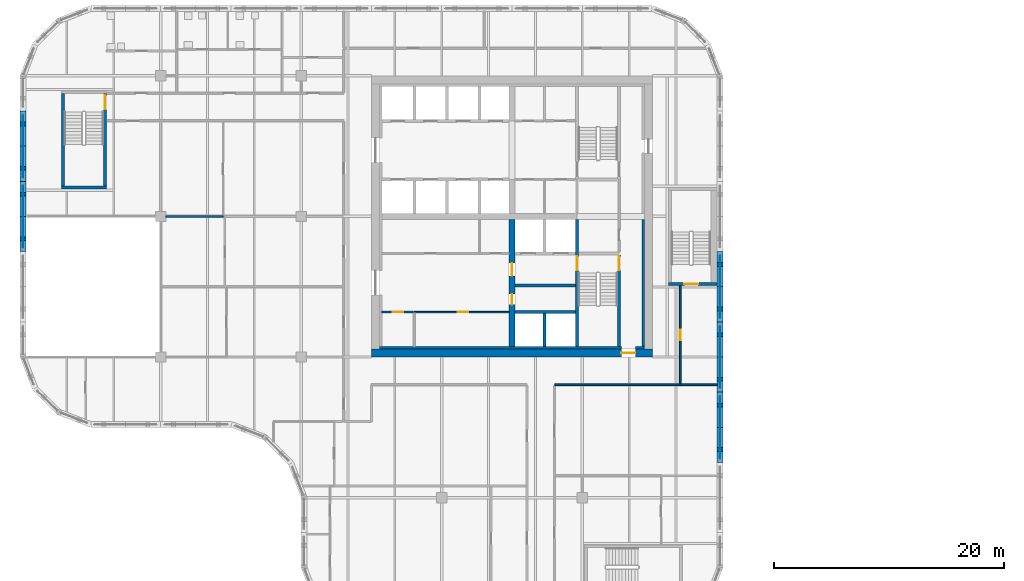
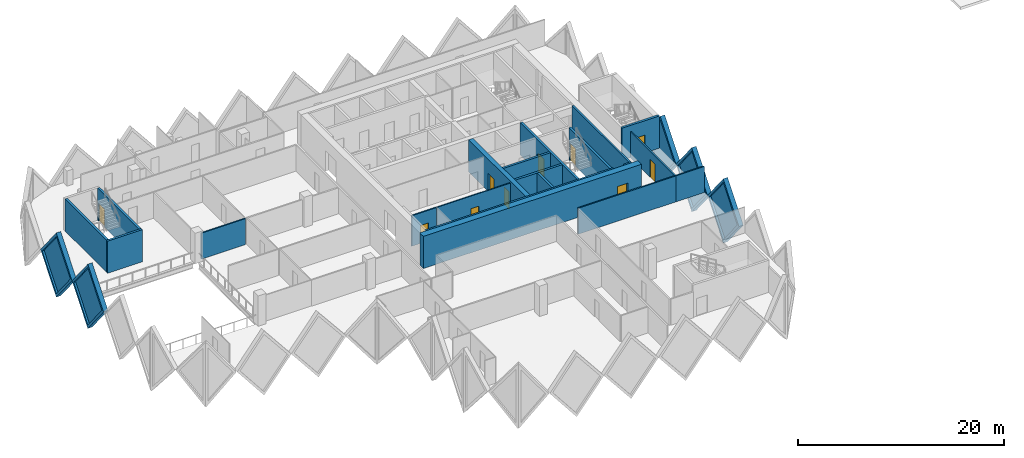
# One storey, part 6 of 13: 25 walls, 10 doors, 5 plates, 15 openings.
"""IFC4 building model written with IfcOpenShell, lengths in metres."""

from ifc_helpers import new_model, si_unit, direction, frame, frame_2d, origin, place, context, subcontext, project, spatial, polyline, rectangle, outline, extrude, faceted_brep, source, transform, mapped, material, layer, layer_set, type_object, element, fill, save


model = new_model("IFC4")

# Units and contexts
model_context = context("Model", 3, precision=1e-05, world=origin(), true_north=direction((0.0, 1.0)))
body_context = subcontext(model_context, "Body", "Model", "MODEL_VIEW")
ifc_project = project(units=[si_unit("LENGTHUNIT", "METRE"), si_unit("AREAUNIT", "SQUARE_METRE"), si_unit("VOLUMEUNIT", "CUBIC_METRE"), si_unit("PLANEANGLEUNIT", "RADIAN"), si_unit("MASSUNIT", "GRAM", prefix="KILO")], contexts=[model_context])

# Site, building, storey
site_placement = place(None, origin())
site = spatial("IfcSite", under=ifc_project, at=site_placement, CompositionType="ELEMENT")
building_placement = place(site_placement, origin())
building = spatial("IfcBuilding", under=site, at=building_placement, Name="Tessera Gate Towers", CompositionType="ELEMENT")
storey_placement = place(building_placement, frame((0.0, 0.0, 116.39990234375)))
storey = spatial("IfcBuildingStorey", under=building, at=storey_placement, Name="L28", CompositionType="ELEMENT", Elevation=116.39990234375)

# Wall, opening, door
ifc_material_1 = material(Name="Concrete C40/50", Category="concrete")
ifc_layer_1 = layer(ifc_material_1, 0.25)
ifc_layer_set_1 = layer_set([ifc_layer_1], Name="CORE ENCLOSURE WALL 250")
wall_type_1 = type_object("IfcWallType", Name="CORE ENCLOSURE WALL 250", PredefinedType="SOLIDWALL", material=ifc_layer_set_1)
wall_1_placement = place(storey_placement, frame((48.35009765625, 36.35009765625, 0.0), z_axis=(0.0, 0.0, 1.0), x_axis=(0.0, -1.0, 0.0)))
wall_1 = element("IfcWall", 1, at=wall_1_placement, inside=storey, type_object=wall_type_1, Name="L28 shaft and stair enclosure wall", PredefinedType="SOLIDWALL", context=body_context, shape_type="SweptSolid", body=[
    extrude(rectangle(XDim=11.050048828125, YDim=0.25, at=frame_2d((5.52490234375, 0.0))), origin(), (0.0, 0.0, 1.0), 3.800048828125),
])
shared_shape_1 = source(origin(), body_context, "Body", "SweptSolid", [
    extrude(rectangle(XDim=1.199951171875, YDim=2.10009765625, at=frame_2d((0.60009765625, 1.050048828125))), frame((0.0, 0.135009765625, 0.0), z_axis=(0.0, -1.0, 0.0), x_axis=(1.0, 0.0, 0.0)), (0.0, 0.0, 1.0), 0.27001953125),
])
opening_1_placement = place(wall_1_placement, frame((3.22509765625, 0.0, 0.0)))
opening_1 = element("IfcOpeningElement", 2, at=opening_1_placement, cuts=wall_1, Name="Opening SD-ST1-1", PredefinedType="OPENING", context=body_context, shape_type="MappedRepresentation", body=[
    mapped(shared_shape_1, transform((0.0, 0.0, 0.0), scale=1.0)),
])
ifc_material_2 = material(Name="Hollow steel fire door", Category="steel")
door_type_1 = type_object("IfcDoorType", Name="CORE DOOR SD 1200x2100", OperationType="NOTDEFINED", PredefinedType="DOOR", material=ifc_material_2)
shared_shape_2 = source(origin(), body_context, "Body", "SweptSolid", [
    extrude(rectangle(XDim=1.199951171875, YDim=2.10009765625, at=frame_2d((0.60009765625, 1.050048828125))), frame((0.0, 0.02490234375, 0.0), z_axis=(0.0, -1.0, 0.0), x_axis=(1.0, 0.0, 0.0)), (0.0, 0.0, 1.0), 0.050048828125),
])
door_1_placement = place(opening_1_placement, origin())
door_1 = element("IfcDoor", 3, at=door_1_placement, inside=storey, type_object=door_type_1, Name="Stair door", OperationType="SINGLE_SWING_LEFT", OverallHeight=2.10009765625, OverallWidth=1.199951171875, PredefinedType="DOOR", context=body_context, shape_type="MappedRepresentation", body=[
    mapped(shared_shape_2, transform((0.0, 0.0, 0.0), scale=1.0)),
])
fill(opening_1, door_1)

wall_2_placement = place(storey_placement, frame((52.0, 25.300048828125, 0.0), z_axis=(0.0, 0.0, 1.0), x_axis=(0.0, 1.0, 0.0)))
wall_2 = element("IfcWall", 4, at=wall_2_placement, inside=storey, type_object=wall_type_1, Name="L28 shaft and stair enclosure wall", PredefinedType="SOLIDWALL", context=body_context, shape_type="SweptSolid", body=[
    extrude(rectangle(XDim=7.974853515625, YDim=0.25, at=frame_2d((3.9873046875, 0.0))), origin(), (0.0, 0.0, 1.0), 3.800048828125),
])
opening_2_placement = place(wall_2_placement, frame((6.625, 0.0, 0.0)))
opening_2 = element("IfcOpeningElement", 5, at=opening_2_placement, cuts=wall_2, Name="Opening SD-ST1-2", PredefinedType="OPENING", context=body_context, shape_type="MappedRepresentation", body=[
    mapped(shared_shape_1, transform((0.0, 0.0, 0.0), scale=1.0)),
])
door_2_placement = place(opening_2_placement, origin())
door_2 = element("IfcDoor", 6, at=door_2_placement, inside=storey, type_object=door_type_1, Name="Stair door", OperationType="SINGLE_SWING_RIGHT", OverallHeight=2.10009765625, OverallWidth=1.199951171875, PredefinedType="DOOR", context=body_context, shape_type="MappedRepresentation", body=[
    mapped(shared_shape_2, transform((0.0, 0.0, 0.0), scale=1.0)),
])
fill(opening_2, door_2)

# Walls
for number, where, z_axis, x_axis, name in (
    (7, (42.949951171875, 28.300048828125, 0.0), (0.0, 0.0, 1.0), (1.0, 0.0, 0.0), "L28 shaft and stair enclosure wall"),
    (8, (42.949951171875, 30.60009765625, 0.0), (0.0, 0.0, 1.0), (1.0, 0.0, 0.0), "L28 shaft and stair enclosure wall"),
):
    element("IfcWall", number, at=place(storey_placement, frame(where, z_axis=z_axis, x_axis=x_axis)), inside=storey, type_object=wall_type_1, Name=name, PredefinedType="SOLIDWALL", context=body_context, shape_type="SweptSolid", body=[
        extrude(rectangle(XDim=5.275146484375, YDim=0.25, at=frame_2d((2.6376953125, 0.0))), origin(), (0.0, 0.0, 1.0), 3.800048828125),
    ])
wall_3_placement = place(storey_placement, frame((45.52490234375, 25.300048828125, 0.0), z_axis=(0.0, 0.0, 1.0), x_axis=(0.0, 1.0, 0.0)))
element("IfcWall", 9, at=wall_3_placement, inside=storey, type_object=wall_type_1, Name="L28 shaft and stair enclosure wall", PredefinedType="SOLIDWALL", context=body_context, shape_type="SweptSolid", body=[
    extrude(rectangle(XDim=2.875, YDim=0.25, at=frame_2d((1.4375, 0.0))), origin(), (0.0, 0.0, 1.0), 3.800048828125),
])
wall_4_placement = place(storey_placement, frame((7.5, 39.125, 0.0), z_axis=(0.0, 0.0, 1.0), x_axis=(-1.0, 0.0, 0.0)))
element("IfcWall", 10, at=wall_4_placement, inside=storey, type_object=wall_type_1, Name="L28 ST3 enclosure wall", PredefinedType="SOLIDWALL", context=body_context, shape_type="SweptSolid", body=[
    extrude(rectangle(XDim=3.89990234375, YDim=0.25, at=frame_2d((1.949951171875, 0.0))), origin(), (0.0, 0.0, 1.0), 3.800048828125),
])
wall_5_placement = place(storey_placement, frame((3.72509765625, 39.25, 0.0), z_axis=(0.0, 0.0, 1.0), x_axis=(0.0, 1.0, 0.0)))
element("IfcWall", 11, at=wall_5_placement, inside=storey, type_object=wall_type_1, Name="L28 ST3 enclosure wall", PredefinedType="SOLIDWALL", context=body_context, shape_type="SweptSolid", body=[
    extrude(rectangle(XDim=8.0, YDim=0.25, at=frame_2d((4.0, 0.0))), origin(), (0.0, 0.0, 1.0), 3.800048828125),
])

# Wall, opening, door
wall_6_placement = place(storey_placement, frame((7.375, 47.25, 0.0), z_axis=(0.0, 0.0, 1.0), x_axis=(0.0, -1.0, 0.0)))
wall_6 = element("IfcWall", 12, at=wall_6_placement, inside=storey, type_object=wall_type_1, Name="L28 ST3 enclosure wall", PredefinedType="SOLIDWALL", context=body_context, shape_type="SweptSolid", body=[
    extrude(rectangle(XDim=8.0, YDim=0.25, at=frame_2d((4.0, 0.0))), origin(), (0.0, 0.0, 1.0), 3.800048828125),
])
opening_3_placement = place(wall_6_placement, frame((0.14990234375, 0.0, 0.0)))
opening_3 = element("IfcOpeningElement", 13, at=opening_3_placement, cuts=wall_6, Name="Opening SD-ST3-1", PredefinedType="OPENING", context=body_context, shape_type="MappedRepresentation", body=[
    mapped(shared_shape_1, transform((0.0, 0.0, 0.0), scale=1.0)),
])
door_3_placement = place(opening_3_placement, origin())
door_3 = element("IfcDoor", 14, at=door_3_placement, inside=storey, type_object=door_type_1, Name="Stair door", OperationType="SINGLE_SWING_LEFT", OverallHeight=2.10009765625, OverallWidth=1.199951171875, PredefinedType="DOOR", context=body_context, shape_type="MappedRepresentation", body=[
    mapped(shared_shape_2, transform((0.0, 0.0, 0.0), scale=1.0)),
])
fill(opening_3, door_3)

wall_7_placement = place(storey_placement, frame((60.5, 30.72509765625, 0.0), z_axis=(0.0, 0.0, 1.0), x_axis=(-1.0, 0.0, 0.0)))
wall_7 = element("IfcWall", 15, at=wall_7_placement, inside=storey, type_object=wall_type_1, Name="L28 ST5 enclosure wall", PredefinedType="SOLIDWALL", context=body_context, shape_type="SweptSolid", body=[
    extrude(rectangle(XDim=4.199951171875, YDim=0.25, at=frame_2d((2.10009765625, 0.0))), origin(), (0.0, 0.0, 1.0), 3.800048828125),
])
opening_4_placement = place(wall_7_placement, frame((1.64990234375, 0.0, 0.0)))
opening_4 = element("IfcOpeningElement", 16, at=opening_4_placement, cuts=wall_7, Name="Opening SD-ST5-1", PredefinedType="OPENING", context=body_context, shape_type="MappedRepresentation", body=[
    mapped(shared_shape_1, transform((0.0, 0.0, 0.0), scale=1.0)),
])
door_4_placement = place(opening_4_placement, origin())
door_4 = element("IfcDoor", 17, at=door_4_placement, inside=storey, type_object=door_type_1, Name="Stair door", OperationType="SINGLE_SWING_RIGHT", OverallHeight=2.10009765625, OverallWidth=1.199951171875, PredefinedType="DOOR", context=body_context, shape_type="MappedRepresentation", body=[
    mapped(shared_shape_2, transform((0.0, 0.0, 0.0), scale=1.0)),
])
fill(opening_4, door_4)

ifc_material_3 = material(Name="Gypsum board on steel studs", Category="steel")
ifc_layer_2 = layer(ifc_material_3, 0.1201171875)
ifc_layer_set_2 = layer_set([ifc_layer_2], Name="CORE PARTITION 120")
wall_type_2 = type_object("IfcWallType", Name="CORE PARTITION 120", PredefinedType="PARTITIONING", material=ifc_layer_set_2)
wall_8_placement = place(storey_placement, frame((42.449951171875, 28.300048828125, 0.0), z_axis=(0.0, 0.0, 1.0), x_axis=(-1.0, 0.0, 0.0)))
wall_8 = element("IfcWall", 18, at=wall_8_placement, inside=storey, type_object=wall_type_2, Name="L28 core partition", PredefinedType="PARTITIONING", context=body_context, shape_type="SweptSolid", body=[
    extrude(rectangle(XDim=8.224853515625, YDim=0.1201171875, at=frame_2d((4.1123046875, 0.0))), origin(), (0.0, 0.0, 1.0), 3.60009765625),
])
shared_shape_3 = source(origin(), body_context, "Body", "SweptSolid", [
    extrude(rectangle(XDim=0.89990234375, YDim=2.10009765625, at=frame_2d((0.449951171875, 1.050048828125))), frame((0.0, 0.070068359375, 0.0), z_axis=(0.0, -1.0, 0.0), x_axis=(1.0, 0.0, 0.0)), (0.0, 0.0, 1.0), 0.14013671875),
])
opening_5_placement = place(wall_8_placement, frame((3.53759765625, 0.0, 0.0)))
opening_5 = element("IfcOpeningElement", 19, at=opening_5_placement, cuts=wall_8, Name="Opening RD-T1-20-09", PredefinedType="OPENING", context=body_context, shape_type="MappedRepresentation", body=[
    mapped(shared_shape_3, transform((0.0, 0.0, 0.0), scale=1.0)),
])
ifc_material_4 = material(Name="Hollow steel fire door", Category="steel")
door_type_2 = type_object("IfcDoorType", Name="CORE DOOR RD 900x2100", OperationType="NOTDEFINED", PredefinedType="DOOR", material=ifc_material_4)
shared_shape_4 = source(origin(), body_context, "Body", "SweptSolid", [
    extrude(rectangle(XDim=0.89990234375, YDim=2.10009765625, at=frame_2d((0.449951171875, 1.050048828125))), frame((0.0, 0.02490234375, 0.0), z_axis=(0.0, -1.0, 0.0), x_axis=(1.0, 0.0, 0.0)), (0.0, 0.0, 1.0), 0.050048828125),
])
door_5_placement = place(opening_5_placement, origin())
door_5 = element("IfcDoor", 20, at=door_5_placement, inside=storey, type_object=door_type_2, Name="Core room door", OperationType="SINGLE_SWING_LEFT", OverallHeight=2.10009765625, OverallWidth=0.89990234375, PredefinedType="DOOR", context=body_context, shape_type="MappedRepresentation", body=[
    mapped(shared_shape_4, transform((0.0, 0.0, 0.0), scale=1.0)),
])
fill(opening_5, door_5)

ifc_material_5 = material(Name="Concrete C60/75", Category="concrete")
ifc_layer_3 = layer(ifc_material_5, 0.699951171875)
ifc_layer_set_3 = layer_set([ifc_layer_3], Name="CORE SHEAR WALL 700 C60/75")
wall_type_3 = type_object("IfcWallType", Name="CORE SHEAR WALL 700 C60/75", PredefinedType="SHEAR", material=ifc_layer_set_3)
wall_9_placement = place(storey_placement, frame((54.89990234375, 24.75, 0.0), z_axis=(0.0, 0.0, 1.0), x_axis=(-1.0, 0.0, 0.0)))
wall_9 = element("IfcWall", 21, at=wall_9_placement, inside=storey, type_object=wall_type_3, Name="Core wall S L28", PredefinedType="SHEAR", context=body_context, shape_type="SweptSolid", body=[
    extrude(rectangle(XDim=24.39990234375, YDim=0.699951171875, at=frame_2d((12.199951171875, 0.0))), origin(), (0.0, 0.0, 1.0), 3.800048828125),
])
shared_shape_5 = source(origin(), body_context, "Body", "SweptSolid", [
    extrude(rectangle(XDim=1.199951171875, YDim=2.10009765625, at=frame_2d((0.60009765625, 1.050048828125))), frame((0.0, 0.35986328125, 0.0), z_axis=(0.0, -1.0, 0.0), x_axis=(1.0, 0.0, 0.0)), (0.0, 0.0, 1.0), 0.719970703125),
])
opening_6_placement = place(wall_9_placement, frame((1.5, 0.0, 0.0)))
opening_6 = element("IfcOpeningElement", 22, at=opening_6_placement, cuts=wall_9, Name="Opening ED-T1-20-01", PredefinedType="OPENING", context=body_context, shape_type="MappedRepresentation", body=[
    mapped(shared_shape_5, transform((0.0, 0.0, 0.0), scale=1.0)),
])
ifc_material_6 = material(Name="Hollow steel fire door", Category="steel")
door_type_3 = type_object("IfcDoorType", Name="CORE DOOR ED 1200x2100", OperationType="NOTDEFINED", PredefinedType="DOOR", material=ifc_material_6)
door_6_placement = place(opening_6_placement, origin())
door_6 = element("IfcDoor", 23, at=door_6_placement, inside=storey, type_object=door_type_3, Name="Core exit door", OperationType="SINGLE_SWING_LEFT", OverallHeight=2.10009765625, OverallWidth=1.199951171875, PredefinedType="DOOR", context=body_context, shape_type="MappedRepresentation", body=[
    mapped(shared_shape_2, transform((0.0, 0.0, 0.0), scale=1.0)),
])
fill(opening_6, door_6)

# Wall, openings, doors
ifc_material_7 = material(Name="Concrete C60/75", Category="concrete")
ifc_layer_4 = layer(ifc_material_7, 0.5)
ifc_layer_set_4 = layer_set([ifc_layer_4], Name="CORE SPINE WALL 500 C60/75")
wall_type_4 = type_object("IfcWallType", Name="CORE SPINE WALL 500 C60/75", PredefinedType="SHEAR", material=ifc_layer_set_4)
wall_10_placement = place(storey_placement, frame((42.699951171875, 36.35009765625, 0.0), z_axis=(0.0, 0.0, 1.0), x_axis=(0.0, -1.0, 0.0)))
wall_10 = element("IfcWall", 24, at=wall_10_placement, inside=storey, type_object=wall_type_4, Name="Core wall spine L28", PredefinedType="SHEAR", context=body_context, shape_type="SweptSolid", body=[
    extrude(rectangle(XDim=11.050048828125, YDim=0.5, at=frame_2d((5.52490234375, 0.0))), origin(), (0.0, 0.0, 1.0), 3.800048828125),
])
shared_shape_6 = source(origin(), body_context, "Body", "SweptSolid", [
    extrude(rectangle(XDim=0.89990234375, YDim=2.10009765625, at=frame_2d((0.449951171875, 1.050048828125))), frame((0.0, 0.260009765625, 0.0), z_axis=(0.0, -1.0, 0.0), x_axis=(1.0, 0.0, 0.0)), (0.0, 0.0, 1.0), 0.52001953125),
])
opening_7_placement = place(wall_10_placement, frame((6.5, 0.0, 0.0)))
opening_7 = element("IfcOpeningElement", 25, at=opening_7_placement, cuts=wall_10, Name="Opening RD-T1-20-05", PredefinedType="OPENING", context=body_context, shape_type="MappedRepresentation", body=[
    mapped(shared_shape_6, transform((0.0, 0.0, 0.0), scale=1.0)),
])
shared_shape_7 = source(origin(), body_context, "Body", "SweptSolid", [
    extrude(rectangle(XDim=1.10009765625, YDim=2.10009765625, at=frame_2d((0.550048828125, 1.050048828125))), frame((0.0, 0.260009765625, 0.0), z_axis=(0.0, -1.0, 0.0), x_axis=(1.0, 0.0, 0.0)), (0.0, 0.0, 1.0), 0.52001953125),
])
opening_8_placement = place(wall_10_placement, frame((3.800048828125, 0.0, 0.0)))
opening_8 = element("IfcOpeningElement", 26, at=opening_8_placement, cuts=wall_10, Name="Opening FD-T1-20-06", PredefinedType="OPENING", context=body_context, shape_type="MappedRepresentation", body=[
    mapped(shared_shape_7, transform((0.0, 0.0, 0.0), scale=1.0)),
])
door_7_placement = place(opening_7_placement, origin())
door_7 = element("IfcDoor", 27, at=door_7_placement, inside=storey, type_object=door_type_2, Name="Core room door", OperationType="SINGLE_SWING_RIGHT", OverallHeight=2.10009765625, OverallWidth=0.89990234375, PredefinedType="DOOR", context=body_context, shape_type="MappedRepresentation", body=[
    mapped(shared_shape_4, transform((0.0, 0.0, 0.0), scale=1.0)),
])
fill(opening_7, door_7)
ifc_material_8 = material(Name="Hollow steel fire door", Category="steel")
door_type_4 = type_object("IfcDoorType", Name="CORE DOOR FD 1100x2100", OperationType="NOTDEFINED", PredefinedType="DOOR", material=ifc_material_8)
shared_shape_8 = source(origin(), body_context, "Body", "SweptSolid", [
    extrude(rectangle(XDim=1.10009765625, YDim=2.10009765625, at=frame_2d((0.550048828125, 1.050048828125))), frame((0.0, 0.02490234375, 0.0), z_axis=(0.0, -1.0, 0.0), x_axis=(1.0, 0.0, 0.0)), (0.0, 0.0, 1.0), 0.050048828125),
])
door_8_placement = place(opening_8_placement, origin())
door_8 = element("IfcDoor", 28, at=door_8_placement, inside=storey, type_object=door_type_4, Name="Fire-fighting lobby door", OperationType="SINGLE_SWING_LEFT", OverallHeight=2.10009765625, OverallWidth=1.10009765625, PredefinedType="DOOR", context=body_context, shape_type="MappedRepresentation", body=[
    mapped(shared_shape_8, transform((0.0, 0.0, 0.0), scale=1.0)),
])
fill(opening_8, door_8)

# Walls
ifc_material_9 = material(Name="Concrete C60/75", Category="concrete")
ifc_layer_5 = layer(ifc_material_9, 0.199951171875)
ifc_layer_set_5 = layer_set([ifc_layer_5], Name="CORE WALL THICKENING 200")
wall_type_5 = type_object("IfcWallType", Name="CORE WALL THICKENING 200", PredefinedType="SOLIDWALL", material=ifc_layer_set_5)
wall_11_placement = place(storey_placement, frame((31.199951171875, 25.199951171875, 0.0), z_axis=(0.0, 0.0, 1.0), x_axis=(1.0, 0.0, 0.0)))
element("IfcWall", 29, at=wall_11_placement, inside=storey, type_object=wall_type_5, Name="Core wall thickening S L28", PredefinedType="SOLIDWALL", context=body_context, shape_type="SweptSolid", body=[
    extrude(rectangle(XDim=21.0, YDim=0.199951171875, at=frame_2d((10.5, 0.0))), origin(), (0.0, 0.0, 1.0), 3.800048828125),
])
wall_12_placement = place(storey_placement, frame((53.39990234375, 25.199951171875, 0.0), z_axis=(0.0, 0.0, 1.0), x_axis=(1.0, 0.0, 0.0)))
element("IfcWall", 30, at=wall_12_placement, inside=storey, type_object=wall_type_5, Name="Core wall thickening S L28", PredefinedType="SOLIDWALL", context=body_context, shape_type="SweptSolid", body=[
    extrude(rectangle(XDim=0.800048828125, YDim=0.199951171875, at=frame_2d((0.39990234375, 0.0))), origin(), (0.0, 0.0, 1.0), 3.800048828125),
])
wall_13_placement = place(storey_placement, frame((54.10009765625, 25.300048828125, 0.0), z_axis=(0.0, 0.0, 1.0), x_axis=(0.0, 1.0, 0.0)))
element("IfcWall", 31, at=wall_13_placement, inside=storey, type_object=wall_type_5, Name="Core wall thickening E L28", PredefinedType="SOLIDWALL", context=body_context, shape_type="SweptSolid", body=[
    extrude(rectangle(XDim=11.02001953125, YDim=0.199951171875, at=frame_2d((5.510009765625, 0.0))), origin(), (0.0, 0.0, 1.0), 3.800048828125),
])
ifc_material_10 = material(Name="Gypsum board on steel studs, mineral wool", Category="steel")
ifc_layer_6 = layer(ifc_material_10, 0.14990234375)
ifc_layer_set_6 = layer_set([ifc_layer_6], Name="CORRIDOR WALL 150")
wall_type_6 = type_object("IfcWallType", Name="CORRIDOR WALL 150", PredefinedType="PARTITIONING", material=ifc_layer_set_6)
wall_14_placement = place(storey_placement, frame((46.39990234375, 22.0, 0.0), z_axis=(0.0, 0.0, 1.0), x_axis=(1.0, 0.0, 0.0)))
element("IfcWall", 32, at=wall_14_placement, inside=storey, type_object=wall_type_6, Name="T1-L28-PW-026", PredefinedType="PARTITIONING", context=body_context, shape_type="SweptSolid", body=[
    extrude(rectangle(XDim=10.900146484375, YDim=0.14990234375, at=frame_2d((5.4501953125, 0.0))), origin(), (0.0, 0.0, 1.0), 3.067138671875),
])

# Wall, opening, door
wall_15_placement = place(storey_placement, frame((57.300048828125, 30.60009765625, 0.0), z_axis=(0.0, 0.0, 1.0), x_axis=(0.0, -1.0, 0.0)))
wall_15 = element("IfcWall", 33, at=wall_15_placement, inside=storey, type_object=wall_type_6, Name="T1-L28-PW-028", PredefinedType="PARTITIONING", context=body_context, shape_type="SweptSolid", body=[
    extrude(rectangle(XDim=8.524169921875, YDim=0.14990234375, at=frame_2d((4.26220703125, 0.0))), origin(), (0.0, 0.0, 1.0), 3.067138671875),
])
shared_shape_9 = source(origin(), body_context, "Body", "SweptSolid", [
    extrude(rectangle(XDim=0.89990234375, YDim=2.10009765625, at=frame_2d((0.449951171875, 1.050048828125))), frame((0.0, 0.0849609375, 0.0), z_axis=(0.0, -1.0, 0.0), x_axis=(1.0, 0.0, 0.0)), (0.0, 0.0, 1.0), 0.169921875),
])
opening_9_placement = place(wall_15_placement, frame((3.823974609375, 0.0, 0.0)))
opening_9 = element("IfcOpeningElement", 34, at=opening_9_placement, cuts=wall_15, Name="Opening D890FD60-A10-05", PredefinedType="OPENING", context=body_context, shape_type="MappedRepresentation", body=[
    mapped(shared_shape_9, transform((0.0, 0.0, 0.0), scale=1.0)),
])
ifc_material_11 = material(Name="Timber door leaf in steel frame", Category="steel")
door_type_5 = type_object("IfcDoorType", Name="CORRIDOR DOOR 900 FD60", OperationType="NOTDEFINED", PredefinedType="DOOR", material=ifc_material_11)
door_9_placement = place(opening_9_placement, origin())
door_9 = element("IfcDoor", 35, at=door_9_placement, inside=storey, type_object=door_type_5, Name="T1-L28-PD-021", OperationType="SINGLE_SWING_RIGHT", OverallHeight=2.10009765625, OverallWidth=0.89990234375, PredefinedType="DOOR", context=body_context, shape_type="MappedRepresentation", body=[
    mapped(shared_shape_4, transform((0.0, 0.0, 0.0), scale=1.0)),
])
fill(opening_9, door_9)

ifc_material_12 = material(Name="Gypsum board on steel studs", Category="steel")
ifc_layer_7 = layer(ifc_material_12, 0.14990234375)
ifc_layer_set_7 = layer_set([ifc_layer_7], Name="SERVICE ROOM WALL 150")
wall_type_7 = type_object("IfcWallType", Name="SERVICE ROOM WALL 150", PredefinedType="PARTITIONING", material=ifc_layer_set_7)
wall_16_placement = place(storey_placement, frame((34.14990234375, 28.300048828125, 0.0), z_axis=(0.0, 0.0, 1.0), x_axis=(-1.0, 0.0, 0.0)))
wall_16 = element("IfcWall", 36, at=wall_16_placement, inside=storey, type_object=wall_type_7, Name="L28 service room wall", PredefinedType="PARTITIONING", context=body_context, shape_type="SweptSolid", body=[
    extrude(rectangle(XDim=2.75, YDim=0.14990234375, at=frame_2d((1.375, 0.0))), origin(), (0.0, 0.0, 1.0), 3.60009765625),
])
opening_10_placement = place(wall_16_placement, frame((0.887451171875, 0.0, 0.0)))
opening_10 = element("IfcOpeningElement", 37, at=opening_10_placement, cuts=wall_16, Name="Opening RD-T1-20-15", PredefinedType="OPENING", context=body_context, shape_type="MappedRepresentation", body=[
    mapped(shared_shape_9, transform((0.0, 0.0, 0.0), scale=1.0)),
])
door_10_placement = place(opening_10_placement, origin())
door_10 = element("IfcDoor", 38, at=door_10_placement, inside=storey, type_object=door_type_2, Name="Core room door", OperationType="SINGLE_SWING_LEFT", OverallHeight=2.10009765625, OverallWidth=0.89990234375, PredefinedType="DOOR", context=body_context, shape_type="MappedRepresentation", body=[
    mapped(shared_shape_4, transform((0.0, 0.0, 0.0), scale=1.0)),
])
fill(opening_10, door_10)

# Walls
ifc_material_13 = material(Name="Gypsum board on steel studs, mineral wool", Category="steel")
ifc_layer_8 = layer(ifc_material_13, 0.14990234375)
ifc_layer_set_8 = layer_set([ifc_layer_8], Name="TENANCY WALL 150")
wall_type_8 = type_object("IfcWallType", Name="TENANCY WALL 150", PredefinedType="PARTITIONING", material=ifc_layer_set_8)
wall_17_placement = place(storey_placement, frame((57.301025390625, 22.0, 0.0), z_axis=(0.0, 0.0, 1.0), x_axis=(1.0, 0.0, 0.0)))
element("IfcWall", 39, at=wall_17_placement, inside=storey, type_object=wall_type_8, Name="T1-L28-PW-027", PredefinedType="PARTITIONING", context=body_context, shape_type="SweptSolid", body=[
    extrude(rectangle(XDim=3.198974609375, YDim=0.14990234375, at=frame_2d((1.599609375, 0.0))), origin(), (0.0, 0.0, 1.0), 3.067138671875),
])
wall_18_placement = place(storey_placement, frame((12.65087890625, 36.60009765625, 0.0), z_axis=(0.0, 0.0, 1.0), x_axis=(1.0, 0.0, 0.0)))
element("IfcWall", 40, at=wall_18_placement, inside=storey, type_object=wall_type_8, Name="T1-L28-PW-036", PredefinedType="PARTITIONING", context=body_context, shape_type="SweptSolid", body=[
    extrude(rectangle(XDim=4.97412109375, YDim=0.14990234375, at=frame_2d((2.487060546875, 0.0))), origin(), (0.0, 0.0, 1.0), 3.067138671875),
])

# Wall, opening, plate
ifc_material_14 = material(Name="Precast concrete C60/75 white", Category="concrete")
ifc_layer_9 = layer(ifc_material_14, 0.5)
ifc_layer_set_9 = layer_set([ifc_layer_9], Name="TS1 tessera")
wall_type_9 = type_object("IfcWallType", Name="TS1 tessera", PredefinedType="SOLIDWALL", material=ifc_layer_set_9)
shared_shape_10 = source(origin(), body_context, "Body", "Brep", [
    faceted_brep([(3.050048828125, -0.25, 0.0), (6.099853515625, -0.25, 3.799560546875), (6.099853515625, -0.25, 3.800048828125), (3.050048828125, -0.25, 7.599853515625), (0.0, -0.25, 3.7998046875), (0.0, 0.25, 3.7998046875), (3.050048828125, 0.25, 7.599853515625), (6.099853515625, 0.25, 3.800048828125), (6.099853515625, 0.25, 3.799560546875), (3.050048828125, 0.25, 0.0)], [[[0, 1, 2, 3, 4]], [[5, 6, 7, 8, 9]], [[9, 8, 1, 0]], [[7, 6, 3, 2]], [[6, 5, 4, 3]], [[5, 9, 0, 4]], [[1, 8, 7, 2]]]),
])
wall_19_placement = place(storey_placement, frame((60.75, 21.35009765625, -3.7998046875), z_axis=(0.0, 0.0, 1.0), x_axis=(0.0, 1.0, 0.0)))
wall_19 = element("IfcWall", 41, at=wall_19_placement, inside=storey, type_object=wall_type_9, Name="Precast tessera T1 TS1-0443", PredefinedType="SOLIDWALL", context=body_context, shape_type="MappedRepresentation", body=[
    mapped(shared_shape_10, transform((0.0, 0.0, 0.0), scale=1.0)),
])
shared_shape_11 = source(origin(), body_context, "Body", "SweptSolid", [
    extrude(outline(polyline([(3.050048828125, 0.3994140625), (5.779541015625, 3.7998046875), (3.050048828125, 7.200439453125), (0.320556640625, 3.7998046875), (3.050048828125, 0.3994140625)])), frame((0.0, 0.260009765625, 0.0), z_axis=(0.0, -1.0, 0.0), x_axis=(1.0, 0.0, 0.0)), (0.0, 0.0, 1.0), 0.52001953125),
])
opening_11_placement = place(wall_19_placement, origin())
opening_11 = element("IfcOpeningElement", 42, at=opening_11_placement, cuts=wall_19, Name="Opening T1-PL2-0903", PredefinedType="OPENING", context=body_context, shape_type="MappedRepresentation", body=[
    mapped(shared_shape_11, transform((0.0, 0.0, 0.0), scale=1.0)),
])
ifc_material_15 = material(Name="Low-e laminated glass", Category="glass")
ifc_layer_10 = layer(ifc_material_15, 0.06005859375)
ifc_layer_set_10 = layer_set([ifc_layer_10], Name="PL2 rhombic pane")
plate_type = type_object("IfcPlateType", Name="PL2 rhombic pane", PredefinedType="SHEET", material=ifc_layer_set_10)
shared_shape_12 = source(origin(), body_context, "Body", "SweptSolid", [
    extrude(outline(polyline([(3.050048828125, 0.3994140625), (5.779541015625, 3.7998046875), (3.050048828125, 7.200439453125), (0.320556640625, 3.7998046875), (3.050048828125, 0.3994140625)])), frame((0.0, 0.030029296875, 0.0), z_axis=(0.0, -1.0, 0.0), x_axis=(1.0, 0.0, 0.0)), (0.0, 0.0, 1.0), 0.06005859375),
])
plate_1_placement = place(opening_11_placement, origin())
plate_1 = element("IfcPlate", 43, at=plate_1_placement, inside=storey, type_object=plate_type, Name="Glass pane T1 PL2-0903", PredefinedType="SHEET", context=body_context, shape_type="MappedRepresentation", body=[
    mapped(shared_shape_12, transform((0.0, 0.0, 0.0), scale=1.0)),
])
fill(opening_11, plate_1)

wall_20_placement = place(storey_placement, frame((0.25, 39.64990234375, -3.7998046875), z_axis=(0.0, 0.0, 1.0), x_axis=(0.0, -1.0, 0.0)))
wall_20 = element("IfcWall", 44, at=wall_20_placement, inside=storey, type_object=wall_type_9, Name="Precast tessera T1 TS1-0456", PredefinedType="SOLIDWALL", context=body_context, shape_type="MappedRepresentation", body=[
    mapped(shared_shape_10, transform((0.0, 0.0, 0.0), scale=1.0)),
])
opening_12_placement = place(wall_20_placement, origin())
opening_12 = element("IfcOpeningElement", 45, at=opening_12_placement, cuts=wall_20, Name="Opening T1-PL2-0924", PredefinedType="OPENING", context=body_context, shape_type="MappedRepresentation", body=[
    mapped(shared_shape_11, transform((0.0, 0.0, 0.0), scale=1.0)),
])
plate_2_placement = place(opening_12_placement, origin())
plate_2 = element("IfcPlate", 46, at=plate_2_placement, inside=storey, type_object=plate_type, Name="Glass pane T1 PL2-0924", PredefinedType="SHEET", context=body_context, shape_type="MappedRepresentation", body=[
    mapped(shared_shape_12, transform((0.0, 0.0, 0.0), scale=1.0)),
])
fill(opening_12, plate_2)

shared_shape_13 = source(origin(), body_context, "Body", "SweptSolid", [
    extrude(outline(polyline([(3.050048828125, 0.0), (6.10009765625, 3.7998046875), (3.050048828125, 7.599853515625), (0.0, 3.7998046875), (3.050048828125, 0.0)])), frame((0.0, 0.25, 0.0), z_axis=(0.0, -1.0, 0.0), x_axis=(1.0, 0.0, 0.0)), (0.0, 0.0, 1.0), 0.5),
])
wall_21_placement = place(storey_placement, frame((60.75, 15.25, -3.7998046875), z_axis=(0.0, 0.0, 1.0), x_axis=(0.0, 1.0, 0.0)))
wall_21 = element("IfcWall", 47, at=wall_21_placement, inside=storey, type_object=wall_type_9, Name="Precast tessera T1 TS1-0442", PredefinedType="SOLIDWALL", context=body_context, shape_type="MappedRepresentation", body=[
    mapped(shared_shape_13, transform((0.0, 0.0, 0.0), scale=1.0)),
])
opening_13_placement = place(wall_21_placement, origin())
opening_13 = element("IfcOpeningElement", 48, at=opening_13_placement, cuts=wall_21, Name="Opening T1-PL2-0902", PredefinedType="OPENING", context=body_context, shape_type="MappedRepresentation", body=[
    mapped(shared_shape_11, transform((0.0, 0.0, 0.0), scale=1.0)),
])
plate_3_placement = place(opening_13_placement, origin())
plate_3 = element("IfcPlate", 49, at=plate_3_placement, inside=storey, type_object=plate_type, Name="Glass pane T1 PL2-0902", PredefinedType="SHEET", context=body_context, shape_type="MappedRepresentation", body=[
    mapped(shared_shape_12, transform((0.0, 0.0, 0.0), scale=1.0)),
])
fill(opening_13, plate_3)

wall_22_placement = place(storey_placement, frame((60.75, 27.449951171875, -3.7998046875), z_axis=(0.0, 0.0, 1.0), x_axis=(0.0, 1.0, 0.0)))
wall_22 = element("IfcWall", 50, at=wall_22_placement, inside=storey, type_object=wall_type_9, Name="Precast tessera T1 TS1-0444", PredefinedType="SOLIDWALL", context=body_context, shape_type="MappedRepresentation", body=[
    mapped(shared_shape_13, transform((0.0, 0.0, 0.0), scale=1.0)),
])
opening_14_placement = place(wall_22_placement, origin())
opening_14 = element("IfcOpeningElement", 51, at=opening_14_placement, cuts=wall_22, Name="Opening T1-PL2-0904", PredefinedType="OPENING", context=body_context, shape_type="MappedRepresentation", body=[
    mapped(shared_shape_11, transform((0.0, 0.0, 0.0), scale=1.0)),
])
plate_4_placement = place(opening_14_placement, origin())
plate_4 = element("IfcPlate", 52, at=plate_4_placement, inside=storey, type_object=plate_type, Name="Glass pane T1 PL2-0904", PredefinedType="SHEET", context=body_context, shape_type="MappedRepresentation", body=[
    mapped(shared_shape_12, transform((0.0, 0.0, 0.0), scale=1.0)),
])
fill(opening_14, plate_4)

wall_23_placement = place(storey_placement, frame((0.25, 45.75, -3.7998046875), z_axis=(0.0, 0.0, 1.0), x_axis=(0.0, -1.0, 0.0)))
wall_23 = element("IfcWall", 53, at=wall_23_placement, inside=storey, type_object=wall_type_9, Name="Precast tessera T1 TS1-0455", PredefinedType="SOLIDWALL", context=body_context, shape_type="MappedRepresentation", body=[
    mapped(shared_shape_13, transform((0.0, 0.0, 0.0), scale=1.0)),
])
opening_15_placement = place(wall_23_placement, origin())
opening_15 = element("IfcOpeningElement", 54, at=opening_15_placement, cuts=wall_23, Name="Opening T1-PL2-0923", PredefinedType="OPENING", context=body_context, shape_type="MappedRepresentation", body=[
    mapped(shared_shape_11, transform((0.0, 0.0, 0.0), scale=1.0)),
])
plate_5_placement = place(opening_15_placement, origin())
plate_5 = element("IfcPlate", 55, at=plate_5_placement, inside=storey, type_object=plate_type, Name="Glass pane T1 PL2-0923", PredefinedType="SHEET", context=body_context, shape_type="MappedRepresentation", body=[
    mapped(shared_shape_12, transform((0.0, 0.0, 0.0), scale=1.0)),
])
fill(opening_15, plate_5)

save(model, "model.ifc")
